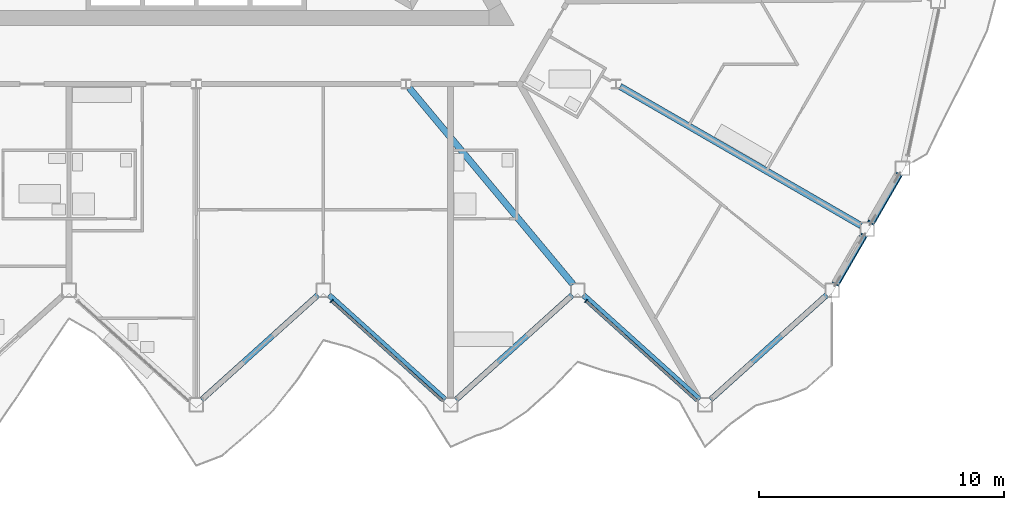
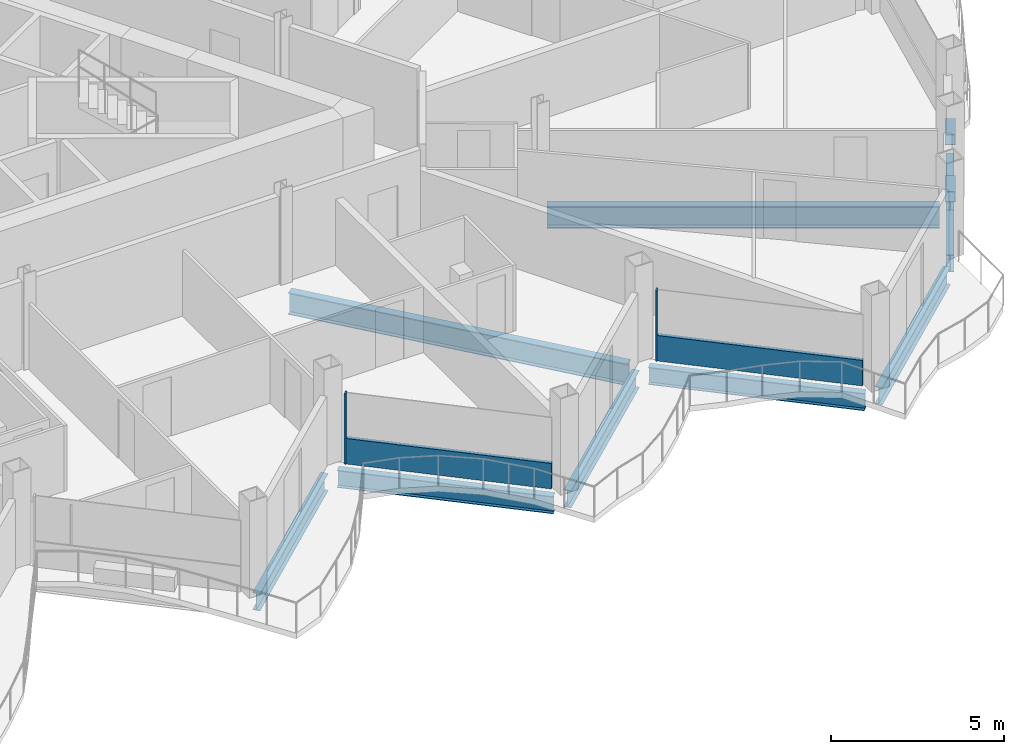
# One storey, part 7 of 26: 9 beams, 6 members, 2 elements without a shape of their own.
"""IFC4 building model written with IfcOpenShell, lengths in metres."""

from ifc_helpers import new_model, si_unit, direction, frame, origin, origin_2d, place, context, subcontext, project, spatial, rectangle, hollow_rectangle, i_section, extrude, material, layer, layer_set, material_profile, profile_set, type_object, element, aggregate, save


model = new_model("IFC4")

# Units and contexts
model_context = context("Model", 3, precision=1e-05, world=origin(), true_north=direction((0.0, 1.0)))
body_context = subcontext(model_context, "Body", "Model", "MODEL_VIEW")
ifc_project = project(units=[si_unit("LENGTHUNIT", "METRE"), si_unit("AREAUNIT", "SQUARE_METRE"), si_unit("VOLUMEUNIT", "CUBIC_METRE"), si_unit("PLANEANGLEUNIT", "RADIAN"), si_unit("MASSUNIT", "GRAM", prefix="KILO")], contexts=[model_context])

# Site, building, storey
site_placement = place(None, origin())
site = spatial("IfcSite", under=ifc_project, at=site_placement, CompositionType="ELEMENT")
building_placement = place(site_placement, origin())
building = spatial("IfcBuilding", under=site, at=building_placement, Name="Cormorant Prow Tower", CompositionType="ELEMENT")
storey_placement = place(building_placement, frame((0.0, 0.0, 342.60009765625)))
storey = spatial("IfcBuildingStorey", under=building, at=storey_placement, Name="L77", CompositionType="ELEMENT", Elevation=342.60009765625)

# Members
ifc_material_1 = material(Name="Structural steel ASTM A500 Gr C", Category="steel")
ifc_material_profile_1 = material_profile(ifc_material_1, hollow_rectangle(XDim=0.3046875, YDim=0.3046875, WallThickness=0.01171875, at=origin_2d()), Name="HSS12x12x1/2")
ifc_profile_set_1 = profile_set([ifc_material_profile_1], Name="Structural steel ASTM A500 Gr C")
member_type_1 = type_object("IfcMemberType", Name="Chamfer brace HSS12x12x1/2", PredefinedType="BRACE", material=ifc_profile_set_1)
for number, where, z_axis, x_axis, name in (
    (1, (27.27490234375, -16.110595703125, 0.740966796875), (-0.456247183882, -0.790292391402, 0.408994429415), (0.866038851724, -0.499976706761, 0.0), "Chamfer brace BR3 at ESE00 L77"),
    (2, (28.711669921875, -13.621826171875, 0.740966796875), (-0.456247183882, -0.790292391402, 0.408994429415), (0.866038851724, -0.499976706761, 0.0), "Chamfer brace BR3 at ESE01 L77"),
):
    element("IfcMember", number, at=place(storey_placement, frame(where, z_axis=z_axis, x_axis=x_axis)), inside=storey, type_object=member_type_1, Name=name, PredefinedType="BRACE", context=body_context, shape_type="SweptSolid", body=[
        extrude(hollow_rectangle(XDim=0.3046875, YDim=0.3046875, WallThickness=0.01171875, at=origin_2d()), origin(), (0.0, 0.0, 1.0), 2.459228515625),
    ])

# Beams
ifc_material_2 = material(Name="Structural steel ASTM A992 Gr 50", Category="steel")
ifc_material_profile_2 = material_profile(ifc_material_2, i_section(OverallWidth=0.267822265625, OverallDepth=0.77001953125, WebThickness=0.015625, FlangeThickness=0.025390625, at=origin_2d()), Name="W30x132")
ifc_profile_set_2 = profile_set([ifc_material_profile_2], Name="Structural steel ASTM A992 Gr 50")
beam_type_1 = type_object("IfcBeamType", Name="Radial floor beam W30x132", PredefinedType="BEAM", material=ifc_profile_set_2)
beam_1_placement = place(storey_placement, frame((8.705078125, -10.057373046875, -0.68505859375), z_axis=(0.640239469619, -0.768175384624, 0.0), x_axis=(0.768175384624, 0.640239469619, 0.0)))
element("IfcBeam", 3, at=beam_1_placement, inside=storey, type_object=beam_type_1, Name="Radial floor beam FB3 8 L77", PredefinedType="BEAM", context=body_context, shape_type="SweptSolid", body=[
    extrude(i_section(OverallWidth=0.267822265625, OverallDepth=0.77001953125, WebThickness=0.015625, FlangeThickness=0.025390625, at=origin_2d()), origin(), (0.0, 0.0, 1.0), 10.465087890625),
])
beam_2_placement = place(storey_placement, frame((17.328125, -10.00439453125, -0.68505859375), z_axis=(0.866024637028, -0.500001328059, 0.0), x_axis=(0.500001328059, 0.866024637028, 0.0)))
element("IfcBeam", 4, at=beam_2_placement, inside=storey, type_object=beam_type_1, Name="Radial floor beam FB3 9 L77", PredefinedType="BEAM", context=body_context, shape_type="SweptSolid", body=[
    extrude(i_section(OverallWidth=0.267822265625, OverallDepth=0.77001953125, WebThickness=0.015625, FlangeThickness=0.025390625, at=origin_2d()), origin(), (0.0, 0.0, 1.0), 11.3671875),
])

# Curtain wall, member
ifc_material_3 = material(Name="Aluminium 6063-T6", Category="aluminium")
ifc_layer = layer(ifc_material_3, 0.159912109375)
ifc_layer_set = layer_set([ifc_layer], Name="Aluminium 6063-T6")
curtain_wall_type = type_object("IfcCurtainWallType", Name="Residential unitised curtain wall 160", PredefinedType="NOTDEFINED", material=ifc_layer_set)
curtain_wall_1_placement = place(storey_placement, origin())
curtain_wall_1 = element("IfcCurtainWall", 5, at=curtain_wall_1_placement, inside=storey, type_object=curtain_wall_type, Name="Residential curtain wall S06", PredefinedType="NOTDEFINED")
ifc_material_4 = material(Name="Aluminium 6063-T6", Category="aluminium")
ifc_material_profile_3 = material_profile(ifc_material_4, rectangle(XDim=0.159912109375, YDim=0.050048828125, at=origin_2d()), Name="Residential mullion 50x160")
ifc_profile_set_3 = profile_set([ifc_material_profile_3], Name="Aluminium 6063-T6")
member_type_2 = type_object("IfcMemberType", Name="Residential mullion 50x160", PredefinedType="MULLION", material=ifc_profile_set_3)
member_1_placement = place(storey_placement, frame((5.53857421875, -18.772705078125, 0.0), z_axis=(0.0, 0.0, 1.0), x_axis=(0.669130659174, 0.743144777922, 0.0)))
member_1 = element("IfcMember", 6, at=member_1_placement, type_object=member_type_2, Name="Residential mullion S06", PredefinedType="MULLION", context=body_context, shape_type="SweptSolid", body=[
    extrude(rectangle(XDim=0.159912109375, YDim=0.050048828125, at=origin_2d()), origin(), (0.0, 0.0, 1.0), 2.48779296875),
])

curtain_wall_2_placement = place(storey_placement, origin())
curtain_wall_2 = element("IfcCurtainWall", 7, at=curtain_wall_2_placement, inside=storey, type_object=curtain_wall_type, Name="Residential curtain wall S08", PredefinedType="NOTDEFINED")
member_2_placement = place(storey_placement, frame((15.93359375, -18.772705078125, 0.0), z_axis=(0.0, 0.0, 1.0), x_axis=(0.669130588071, 0.743144841944, 0.0)))
member_2 = element("IfcMember", 8, at=member_2_placement, type_object=member_type_2, Name="Residential mullion S08", PredefinedType="MULLION", context=body_context, shape_type="SweptSolid", body=[
    extrude(rectangle(XDim=0.159912109375, YDim=0.050048828125, at=origin_2d()), origin(), (0.0, 0.0, 1.0), 2.48779296875),
])

# Member
ifc_material_5 = material(Name="Terracotta", Category="masonry")
ifc_material_profile_4 = material_profile(ifc_material_5, rectangle(XDim=0.1201171875, YDim=0.89990234375, at=origin_2d()), Name="Residential terracotta spandrel rail 120x900")
ifc_profile_set_4 = profile_set([ifc_material_profile_4], Name="Terracotta")
member_type_3 = type_object("IfcMemberType", Name="Residential terracotta spandrel rail 120x900", PredefinedType="USERDEFINED", material=ifc_profile_set_4)
member_3_placement = place(storey_placement, frame((5.55712890625, -18.789306640625, 0.449951171875), z_axis=(0.743144281997, -0.669131209954, 0.0), x_axis=(0.669131209954, 0.743144281997, 0.0)))
member_3 = element("IfcMember", 9, at=member_3_placement, type_object=member_type_3, Name="Residential spandrel rail S06", ObjectType="TRANSOM", PredefinedType="USERDEFINED", context=body_context, shape_type="SweptSolid", body=[
    extrude(rectangle(XDim=0.1201171875, YDim=0.89990234375, at=origin_2d()), origin(), (0.0, 0.0, 1.0), 6.075927734375),
])

aggregate(curtain_wall_1, [member_1, member_3])

member_4_placement = place(storey_placement, frame((15.9521484375, -18.789306640625, 0.449951171875), z_axis=(0.743144281997, -0.669131209954, 0.0), x_axis=(0.669131209954, 0.743144281997, 0.0)))
member_4 = element("IfcMember", 10, at=member_4_placement, type_object=member_type_3, Name="Residential spandrel rail S08", ObjectType="TRANSOM", PredefinedType="USERDEFINED", context=body_context, shape_type="SweptSolid", body=[
    extrude(rectangle(XDim=0.1201171875, YDim=0.89990234375, at=origin_2d()), origin(), (0.0, 0.0, 1.0), 6.075927734375),
])

aggregate(curtain_wall_2, [member_2, member_4])

# Beams
ifc_material_6 = material(Name="Structural steel ASTM A992 Gr 50", Category="steel")
ifc_material_profile_5 = material_profile(ifc_material_6, i_section(OverallWidth=0.22900390625, OverallDepth=0.612060546875, WebThickness=0.011962890625, FlangeThickness=0.01953125, at=origin_2d()), Name="W24x84")
ifc_profile_set_5 = profile_set([ifc_material_profile_5], Name="Structural steel ASTM A992 Gr 50")
beam_type_2 = type_object("IfcBeamType", Name="Spandrel beam W24x84", PredefinedType="SPANDREL", material=ifc_profile_set_5)
for number, where, z_axis, x_axis, name in (
    (11, (0.222900390625, -22.807373046875, -0.606201171875), (0.743144186555, 0.669131315954, 0.0), (-0.669131315954, 0.743144186555, 0.0), "Spandrel beam SB3 S05-S06 L77"),
    (12, (5.422119140625, -18.527587890625, -0.606201171875), (0.743144186555, -0.669131315954, 0.0), (0.669131315954, 0.743144186555, 0.0), "Spandrel beam SB3 S06-S07 L77"),
    (13, (10.62109375, -22.807373046875, -0.606201171875), (0.743144186555, 0.669131315954, 0.0), (-0.669131315954, 0.743144186555, 0.0), "Spandrel beam SB3 S07-S08 L77"),
):
    element("IfcBeam", number, at=place(storey_placement, frame(where, z_axis=z_axis, x_axis=x_axis)), inside=storey, type_object=beam_type_2, Name=name, PredefinedType="SPANDREL", context=body_context, shape_type="SweptSolid", body=[
        extrude(i_section(OverallWidth=0.22900390625, OverallDepth=0.612060546875, WebThickness=0.011962890625, FlangeThickness=0.01953125, at=origin_2d()), origin(), (0.0, 0.0, 1.0), 6.39599609375),
    ])
beam_3_placement = place(storey_placement, frame((15.820068359375, -18.527587890625, -0.606201171875), z_axis=(0.743161276225, -0.669112335502, 0.0), x_axis=(0.669112335502, 0.743161276225, 0.0)))
element("IfcBeam", 14, at=beam_3_placement, inside=storey, type_object=beam_type_2, Name="Spandrel beam SB3 S08-S09 L77", PredefinedType="SPANDREL", context=body_context, shape_type="SweptSolid", body=[
    extrude(i_section(OverallWidth=0.22900390625, OverallDepth=0.612060546875, WebThickness=0.011962890625, FlangeThickness=0.01953125, at=origin_2d()), origin(), (0.0, 0.0, 1.0), 6.396240234375),
])
beam_4_placement = place(storey_placement, frame((21.019287109375, -22.807373046875, -0.606201171875), z_axis=(0.743144186555, 0.669131315954, 0.0), x_axis=(-0.669131315954, 0.743144186555, 0.0)))
element("IfcBeam", 15, at=beam_4_placement, inside=storey, type_object=beam_type_2, Name="Spandrel beam SB3 S09-ESE00 L77", PredefinedType="SPANDREL", context=body_context, shape_type="SweptSolid", body=[
    extrude(i_section(OverallWidth=0.22900390625, OverallDepth=0.612060546875, WebThickness=0.011962890625, FlangeThickness=0.01953125, at=origin_2d()), origin(), (0.0, 0.0, 1.0), 6.39599609375),
])
beam_5_placement = place(storey_placement, frame((26.1455078125, -18.06689453125, -0.606201171875), z_axis=(0.49997342893, 0.866040744055, 0.0), x_axis=(-0.866040744055, 0.49997342893, 0.0)))
element("IfcBeam", 16, at=beam_5_placement, inside=storey, type_object=beam_type_2, Name="Spandrel beam SB3 ESE00-ESE01 L77", PredefinedType="SPANDREL", context=body_context, shape_type="SweptSolid", body=[
    extrude(i_section(OverallWidth=0.22900390625, OverallDepth=0.612060546875, WebThickness=0.011962890625, FlangeThickness=0.01953125, at=origin_2d()), origin(), (0.0, 0.0, 1.0), 2.2734375),
])
beam_6_placement = place(storey_placement, frame((27.582275390625, -15.578125, -0.606201171875), z_axis=(0.500053962254, 0.865994246421, 0.0), x_axis=(-0.865994246421, 0.500053962254, 0.0)))
element("IfcBeam", 17, at=beam_6_placement, inside=storey, type_object=beam_type_2, Name="Spandrel beam SB3 ESE01-ENE00 L77", PredefinedType="SPANDREL", context=body_context, shape_type="SweptSolid", body=[
    extrude(i_section(OverallWidth=0.22900390625, OverallDepth=0.612060546875, WebThickness=0.011962890625, FlangeThickness=0.01953125, at=origin_2d()), origin(), (0.0, 0.0, 1.0), 2.273681640625),
])

save(model, "model.ifc")
